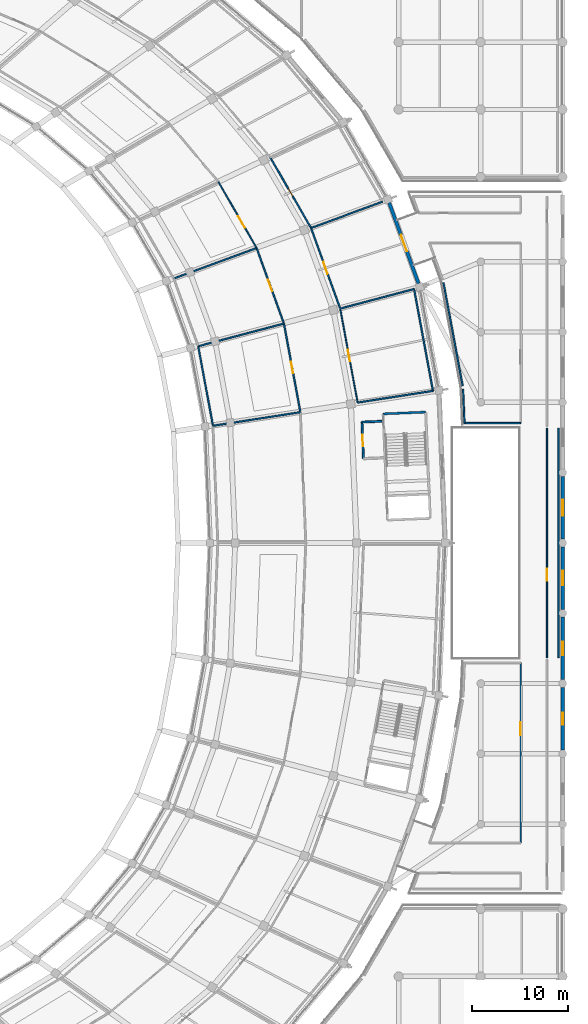
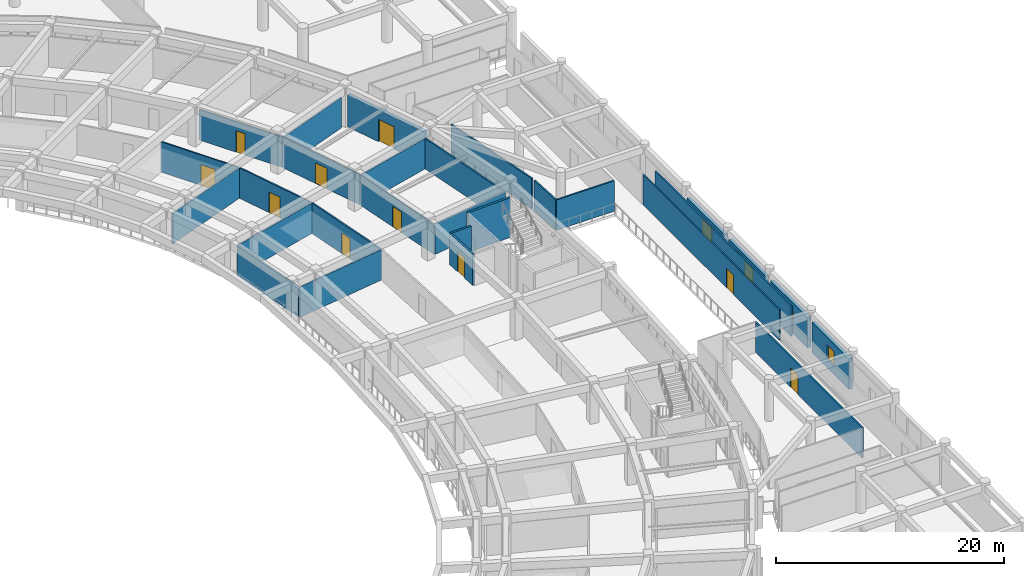
# One storey, part 105 of 145: 28 walls, 10 doors, 4 windows, 14 openings.
"""IFC4 building model written with IfcOpenShell, lengths in metres."""

from ifc_helpers import new_model, si_unit, direction, frame, frame_2d, origin, place, context, subcontext, project, spatial, rectangle, extrude, material, layer, layer_set, type_object, element, fill, save


model = new_model("IFC4")

# Units and contexts
model_context = context("Model", 3, precision=1e-05, world=origin(), true_north=direction((0.0, 1.0)))
body_context = subcontext(model_context, "Body", "Model", "MODEL_VIEW")
ifc_project = project(units=[si_unit("LENGTHUNIT", "METRE"), si_unit("AREAUNIT", "SQUARE_METRE"), si_unit("VOLUMEUNIT", "CUBIC_METRE"), si_unit("PLANEANGLEUNIT", "RADIAN"), si_unit("MASSUNIT", "GRAM", prefix="KILO")], contexts=[model_context])

# Site, building, storey
site_placement = place(None, origin())
site = spatial("IfcSite", under=ifc_project, at=site_placement, CompositionType="ELEMENT")
building_placement = place(site_placement, origin())
building = spatial("IfcBuilding", under=site, at=building_placement, Name="Mphavela Belvedere Stadium", CompositionType="ELEMENT")
storey_placement = place(building_placement, frame((0.0, 0.0, 10.199951171875)))
storey = spatial("IfcBuildingStorey", under=building, at=storey_placement, Name="L02", CompositionType="ELEMENT", Elevation=10.199951171875)

# Wall
ifc_material_1 = material(Name="Concrete C40/50", Category="concrete")
ifc_layer_1 = layer(ifc_material_1, 0.219970703125)
ifc_layer_set_1 = layer_set([ifc_layer_1], Name="Concrete C40/50")
wall_type_1 = type_object("IfcWallType", Name="WAL-CORE-SHEAR-220", PredefinedType="SHEAR", material=ifc_layer_set_1)
wall_1_placement = place(storey_placement, frame((211.365478515625, 100.400390625, 0.0), z_axis=(0.0, 0.0, 1.0), x_axis=(0.999121521721, 0.041906859039, 0.0)))
element("IfcWall", 1, at=wall_1_placement, inside=storey, type_object=wall_type_1, Name="Core C01 shear wall L02 left", PredefinedType="SHEAR", context=body_context, shape_type="SweptSolid", body=[
    extrude(rectangle(XDim=4.41015625, YDim=0.219970703125, at=frame_2d((2.205078125, 0.0))), origin(), (0.0, 0.0, 1.0), 4.25),
])

# Wall, opening, door
ifc_material_2 = material(Name="Honed ashlar limestone masonry", Category="masonry")
ifc_layer_2 = layer(ifc_material_2, 0.35009765625)
ifc_layer_set_2 = layer_set([ifc_layer_2], Name="Honed ashlar limestone masonry")
wall_type_2 = type_object("IfcWallType", Name="WAL-EXT-ASHLAR-350", PredefinedType="STANDARD", material=ifc_layer_set_2)
wall_2_placement = place(storey_placement, frame((211.99169921875, 122.30810546875, 0.0), z_axis=(0.0, 0.0, 1.0), x_axis=(0.34103858998, -0.940049296657, 0.0)))
wall_2 = element("IfcWall", 2, at=wall_2_placement, inside=storey, type_object=wall_type_2, Name="Classical link portal wall L02-03", PredefinedType="STANDARD", context=body_context, shape_type="SweptSolid", body=[
    extrude(rectangle(XDim=8.905517578125, YDim=0.35009765625, at=frame_2d((4.45263671875, 0.0))), origin(), (0.0, 0.0, 1.0), 3.420166015625),
])
opening_1_placement = place(wall_2_placement, frame((3.552734375, 0.0, 0.0)))
opening_1 = element("IfcOpeningElement", 3, at=opening_1_placement, cuts=wall_2, Name="Opening ID-9202", PredefinedType="OPENING", context=body_context, shape_type="SweptSolid", body=[
    extrude(rectangle(XDim=1.800048828125, YDim=2.39990234375, at=frame_2d((0.89990234375, 1.199951171875))), frame((0.0, 0.18505859375, 0.0), z_axis=(0.0, -1.0, 0.0), x_axis=(1.0, 0.0, 0.0)), (0.0, 0.0, 1.0), 0.3701171875),
])
ifc_material_3 = material(Name="Glazed bronze-anodised steel exit doorset", Category="steel")
door_type_1 = type_object("IfcDoorType", Name="DR-EXT-01", OperationType="NOTDEFINED", PredefinedType="DOOR", material=ifc_material_3)
door_1_placement = place(opening_1_placement, origin())
door_1 = element("IfcDoor", 4, at=door_1_placement, inside=storey, type_object=door_type_1, Name="Wing promenade link doorset L02-03", OperationType="DOUBLE_DOOR_SINGLE_SWING", OverallHeight=2.39990234375, OverallWidth=1.800048828125, PredefinedType="DOOR", context=body_context, shape_type="SweptSolid", body=[
    extrude(rectangle(XDim=1.800048828125, YDim=2.39990234375, at=frame_2d((0.89990234375, 1.199951171875))), frame((0.0, 0.02490234375, 0.0), z_axis=(0.0, -1.0, 0.0), x_axis=(1.0, 0.0, 0.0)), (0.0, 0.0, 1.0), 0.050048828125),
])
fill(opening_1, door_1)

# Wall, opening, window
wall_3_placement = place(storey_placement, frame((230.0, 72.001953125, 0.0), z_axis=(0.0, 0.0, 1.0), x_axis=(0.0, -1.0, 0.0)))
wall_3 = element("IfcWall", 5, at=wall_3_placement, inside=storey, type_object=wall_type_2, Name="East Planted Eaves Peristyle Colonnade outer facade bay L02-03", PredefinedType="STANDARD", context=body_context, shape_type="SweptSolid", body=[
    extrude(rectangle(XDim=6.50390625, YDim=0.35009765625, at=frame_2d((3.251953125, 0.0))), origin(), (0.0, 0.0, 1.0), 3.260009765625),
])
opening_2_placement = place(wall_3_placement, frame((2.632080078125, 0.0, 0.89990234375)))
opening_2 = element("IfcOpeningElement", 6, at=opening_2_placement, cuts=wall_3, Name="Opening W-310", PredefinedType="OPENING", context=body_context, shape_type="SweptSolid", body=[
    extrude(rectangle(XDim=1.239990234375, YDim=1.550048828125, at=frame_2d((0.6201171875, 0.77490234375))), frame((0.0, 0.18505859375, 0.0), z_axis=(0.0, -1.0, 0.0), x_axis=(1.0, 0.0, 0.0)), (0.0, 0.0, 1.0), 0.3701171875),
])
ifc_material_4 = material(Name="Bronze-anodised thermally broken aluminium window", Category="aluminium")
window_type_1 = type_object("IfcWindowType", Name="WIN-EXT-02", PartitioningType="SINGLE_PANEL", PredefinedType="WINDOW", material=ifc_material_4)
window_1_placement = place(opening_2_placement, origin())
window_1 = element("IfcWindow", 7, at=window_1_placement, inside=storey, type_object=window_type_1, Name="East Planted Eaves Peristyle Colonnade classical window W-310", OverallHeight=1.550048828125, OverallWidth=1.239990234375, PartitioningType="SINGLE_PANEL", PredefinedType="WINDOW", context=body_context, shape_type="SweptSolid", body=[
    extrude(rectangle(XDim=1.239990234375, YDim=1.550048828125, at=frame_2d((0.6201171875, 0.77490234375))), frame((0.0, 0.030029296875, 0.0), z_axis=(0.0, -1.0, 0.0), x_axis=(1.0, 0.0, 0.0)), (0.0, 0.0, 1.0), 0.06005859375),
])
fill(opening_2, window_1)

wall_4_placement = place(storey_placement, frame((230.0, 79.302001953125, 0.0), z_axis=(0.0, 0.0, 1.0), x_axis=(0.0, -1.0, 0.0)))
wall_4 = element("IfcWall", 8, at=wall_4_placement, inside=storey, type_object=wall_type_2, Name="East Planted Eaves Peristyle Colonnade outer facade bay L02-04", PredefinedType="STANDARD", context=body_context, shape_type="SweptSolid", body=[
    extrude(rectangle(XDim=6.50390625, YDim=0.35009765625, at=frame_2d((3.251953125, 0.0))), origin(), (0.0, 0.0, 1.0), 3.260009765625),
])
opening_3_placement = place(wall_4_placement, frame((2.56201171875, 0.0, 0.89990234375)))
opening_3 = element("IfcOpeningElement", 9, at=opening_3_placement, cuts=wall_4, Name="Opening W-311", PredefinedType="OPENING", context=body_context, shape_type="SweptSolid", body=[
    extrude(rectangle(XDim=1.3798828125, YDim=1.550048828125, at=frame_2d((0.68994140625, 0.77490234375))), frame((0.0, 0.18505859375, 0.0), z_axis=(0.0, -1.0, 0.0), x_axis=(1.0, 0.0, 0.0)), (0.0, 0.0, 1.0), 0.3701171875),
])
ifc_material_5 = material(Name="Bronze-anodised thermally broken aluminium window", Category="aluminium")
window_type_2 = type_object("IfcWindowType", Name="WIN-EXT-03", PartitioningType="SINGLE_PANEL", PredefinedType="WINDOW", material=ifc_material_5)
window_2_placement = place(opening_3_placement, origin())
window_2 = element("IfcWindow", 10, at=window_2_placement, inside=storey, type_object=window_type_2, Name="East Planted Eaves Peristyle Colonnade classical window W-311", OverallHeight=1.550048828125, OverallWidth=1.3798828125, PartitioningType="SINGLE_PANEL", PredefinedType="WINDOW", context=body_context, shape_type="SweptSolid", body=[
    extrude(rectangle(XDim=1.3798828125, YDim=1.550048828125, at=frame_2d((0.68994140625, 0.77490234375))), frame((0.0, 0.030029296875, 0.0), z_axis=(0.0, -1.0, 0.0), x_axis=(1.0, 0.0, 0.0)), (0.0, 0.0, 1.0), 0.06005859375),
])
fill(opening_3, window_2)

wall_5_placement = place(storey_placement, frame((230.0, 86.60205078125, 0.0), z_axis=(0.0, 0.0, 1.0), x_axis=(0.0, -1.0, 0.0)))
wall_5 = element("IfcWall", 11, at=wall_5_placement, inside=storey, type_object=wall_type_2, Name="East Planted Eaves Peristyle Colonnade outer facade bay L02-05", PredefinedType="STANDARD", context=body_context, shape_type="SweptSolid", body=[
    extrude(rectangle(XDim=6.504150390625, YDim=0.35009765625, at=frame_2d((3.251953125, 0.0))), origin(), (0.0, 0.0, 1.0), 3.260009765625),
])
opening_4_placement = place(wall_5_placement, frame((2.491943359375, 0.0, 0.89990234375)))
opening_4 = element("IfcOpeningElement", 12, at=opening_4_placement, cuts=wall_5, Name="Opening W-312", PredefinedType="OPENING", context=body_context, shape_type="SweptSolid", body=[
    extrude(rectangle(XDim=1.52001953125, YDim=1.550048828125, at=frame_2d((0.760009765625, 0.77490234375))), frame((0.0, 0.18505859375, 0.0), z_axis=(0.0, -1.0, 0.0), x_axis=(1.0, 0.0, 0.0)), (0.0, 0.0, 1.0), 0.3701171875),
])
ifc_material_6 = material(Name="Bronze-anodised thermally broken aluminium window", Category="aluminium")
window_type_3 = type_object("IfcWindowType", Name="WIN-EXT-04", PartitioningType="SINGLE_PANEL", PredefinedType="WINDOW", material=ifc_material_6)
window_3_placement = place(opening_4_placement, origin())
window_3 = element("IfcWindow", 13, at=window_3_placement, inside=storey, type_object=window_type_3, Name="East Planted Eaves Peristyle Colonnade classical window W-312", OverallHeight=1.550048828125, OverallWidth=1.52001953125, PartitioningType="SINGLE_PANEL", PredefinedType="WINDOW", context=body_context, shape_type="SweptSolid", body=[
    extrude(rectangle(XDim=1.52001953125, YDim=1.550048828125, at=frame_2d((0.760009765625, 0.77490234375))), frame((0.0, 0.030029296875, 0.0), z_axis=(0.0, -1.0, 0.0), x_axis=(1.0, 0.0, 0.0)), (0.0, 0.0, 1.0), 0.06005859375),
])
fill(opening_4, window_3)

wall_6_placement = place(storey_placement, frame((230.0, 93.902099609375, 0.0), z_axis=(0.0, 0.0, 1.0), x_axis=(0.0, -1.0, 0.0)))
wall_6 = element("IfcWall", 14, at=wall_6_placement, inside=storey, type_object=wall_type_2, Name="East Planted Eaves Peristyle Colonnade outer facade bay L02-06", PredefinedType="STANDARD", context=body_context, shape_type="SweptSolid", body=[
    extrude(rectangle(XDim=6.504150390625, YDim=0.35009765625, at=frame_2d((3.251953125, 0.0))), origin(), (0.0, 0.0, 1.0), 3.260009765625),
])
opening_5_placement = place(wall_6_placement, frame((2.422119140625, 0.0, 0.89990234375)))
opening_5 = element("IfcOpeningElement", 15, at=opening_5_placement, cuts=wall_6, Name="Opening W-313", PredefinedType="OPENING", context=body_context, shape_type="SweptSolid", body=[
    extrude(rectangle(XDim=1.659912109375, YDim=1.550048828125, at=frame_2d((0.830078125, 0.77490234375))), frame((0.0, 0.18505859375, 0.0), z_axis=(0.0, -1.0, 0.0), x_axis=(1.0, 0.0, 0.0)), (0.0, 0.0, 1.0), 0.3701171875),
])
ifc_material_7 = material(Name="Bronze-anodised thermally broken aluminium window", Category="aluminium")
window_type_4 = type_object("IfcWindowType", Name="WIN-EXT-05", PartitioningType="SINGLE_PANEL", PredefinedType="WINDOW", material=ifc_material_7)
window_4_placement = place(opening_5_placement, origin())
window_4 = element("IfcWindow", 16, at=window_4_placement, inside=storey, type_object=window_type_4, Name="East Planted Eaves Peristyle Colonnade classical window W-313", OverallHeight=1.550048828125, OverallWidth=1.659912109375, PartitioningType="SINGLE_PANEL", PredefinedType="WINDOW", context=body_context, shape_type="SweptSolid", body=[
    extrude(rectangle(XDim=1.659912109375, YDim=1.550048828125, at=frame_2d((0.830078125, 0.77490234375))), frame((0.0, 0.030029296875, 0.0), z_axis=(0.0, -1.0, 0.0), x_axis=(1.0, 0.0, 0.0)), (0.0, 0.0, 1.0), 0.06005859375),
])
fill(opening_5, window_4)

# Wall, opening, door
ifc_material_8 = material(Name="Moisture-resistant sanitary partition assembly")
ifc_layer_3 = layer(ifc_material_8, 0.125)
ifc_layer_set_3 = layer_set([ifc_layer_3], Name="Moisture-resistant sanitary partition assembly")
wall_type_3 = type_object("IfcWallType", Name="WAL-PART-125", PredefinedType="PARTITIONING", material=ifc_layer_set_3)
wall_7_placement = place(storey_placement, frame((208.706787109375, 101.5751953125, 0.0), z_axis=(0.0, 0.0, 1.0), x_axis=(-0.182618024057, 0.983183938686, 0.0)))
wall_7 = element("IfcWall", 17, at=wall_7_placement, inside=storey, type_object=wall_type_3, Name="Room L02-37 corridor partition", PredefinedType="PARTITIONING", context=body_context, shape_type="SweptSolid", body=[
    extrude(rectangle(XDim=9.919677734375, YDim=0.125, at=frame_2d((4.9599609375, 0.0))), origin(), (0.0, 0.0, 1.0), 3.25),
])
opening_6_placement = place(wall_7_placement, frame((4.349853515625, 0.0, 0.0)))
opening_6 = element("IfcOpeningElement", 18, at=opening_6_placement, cuts=wall_7, Name="Opening ID-165", PredefinedType="OPENING", context=body_context, shape_type="SweptSolid", body=[
    extrude(rectangle(XDim=1.219970703125, YDim=2.199951171875, at=frame_2d((0.60986328125, 1.10009765625))), frame((0.0, 0.072509765625, 0.0), z_axis=(0.0, -1.0, 0.0), x_axis=(1.0, 0.0, 0.0)), (0.0, 0.0, 1.0), 0.14501953125),
])
ifc_material_9 = material(Name="Hardwood acoustic timber doorset", Category="wood")
door_type_2 = type_object("IfcDoorType", Name="DR-INT-21", OperationType="NOTDEFINED", PredefinedType="DOOR", material=ifc_material_9)
door_2_placement = place(opening_6_placement, origin())
door_2 = element("IfcDoor", 19, at=door_2_placement, inside=storey, type_object=door_type_2, Name="Room L02-37 entrance door ID-165", OperationType="SINGLE_SWING_LEFT", OverallHeight=2.199951171875, OverallWidth=1.219970703125, PredefinedType="DOOR", context=body_context, shape_type="SweptSolid", body=[
    extrude(rectangle(XDim=1.219970703125, YDim=2.199951171875, at=frame_2d((0.60986328125, 1.10009765625))), frame((0.0, 0.02490234375, 0.0), z_axis=(0.0, -1.0, 0.0), x_axis=(1.0, 0.0, 0.0)), (0.0, 0.0, 1.0), 0.050048828125),
])
fill(opening_6, door_2)

wall_8_placement = place(storey_placement, frame((194.260009765625, 124.47216796875, 0.0), z_axis=(0.0, 0.0, 1.0), x_axis=(0.500584301803, -0.865687794063, 0.0)))
wall_8 = element("IfcWall", 20, at=wall_8_placement, inside=storey, type_object=wall_type_3, Name="Room L02-42 corridor partition", PredefinedType="PARTITIONING", context=body_context, shape_type="SweptSolid", body=[
    extrude(rectangle(XDim=7.8369140625, YDim=0.125, at=frame_2d((3.91845703125, 0.0))), origin(), (0.0, 0.0, 1.0), 3.25),
])
opening_7_placement = place(wall_8_placement, frame((4.088134765625, 0.0, 0.0)))
opening_7 = element("IfcOpeningElement", 21, at=opening_7_placement, cuts=wall_8, Name="Opening ID-168", PredefinedType="OPENING", context=body_context, shape_type="SweptSolid", body=[
    extrude(rectangle(XDim=1.39990234375, YDim=2.199951171875, at=frame_2d((0.699951171875, 1.10009765625))), frame((0.0, 0.072509765625, 0.0), z_axis=(0.0, -1.0, 0.0), x_axis=(1.0, 0.0, 0.0)), (0.0, 0.0, 1.0), 0.14501953125),
])
ifc_material_10 = material(Name="Hardwood acoustic timber doorset", Category="wood")
door_type_3 = type_object("IfcDoorType", Name="DR-INT-24", OperationType="NOTDEFINED", PredefinedType="DOOR", material=ifc_material_10)
door_3_placement = place(opening_7_placement, origin())
door_3 = element("IfcDoor", 22, at=door_3_placement, inside=storey, type_object=door_type_3, Name="Room L02-42 entrance door ID-168", OperationType="SINGLE_SWING_RIGHT", OverallHeight=2.199951171875, OverallWidth=1.39990234375, PredefinedType="DOOR", context=body_context, shape_type="SweptSolid", body=[
    extrude(rectangle(XDim=1.39990234375, YDim=2.199951171875, at=frame_2d((0.699951171875, 1.10009765625))), frame((0.0, 0.02490234375, 0.0), z_axis=(0.0, -1.0, 0.0), x_axis=(1.0, 0.0, 0.0)), (0.0, 0.0, 1.0), 0.050048828125),
])
fill(opening_7, door_3)

wall_9_placement = place(storey_placement, frame((228.360107421875, 75.083251953125, 0.0), z_axis=(0.0, 0.0, 1.0), x_axis=(0.0, 1.0, 0.0)))
wall_9 = element("IfcWall", 23, at=wall_9_placement, inside=storey, type_object=wall_type_3, Name="Room L02-199 corridor partition", PredefinedType="PARTITIONING", context=body_context, shape_type="SweptSolid", body=[
    extrude(rectangle(XDim=23.83349609375, YDim=0.125, at=frame_2d((11.916748046875, 0.0))), origin(), (0.0, 0.0, 1.0), 3.25),
])
opening_8_placement = place(wall_9_placement, frame((8.0107421875, 0.0, 0.0)))
opening_8 = element("IfcOpeningElement", 24, at=opening_8_placement, cuts=wall_9, Name="Opening ID-549", PredefinedType="OPENING", context=body_context, shape_type="SweptSolid", body=[
    extrude(rectangle(XDim=1.219970703125, YDim=2.10009765625, at=frame_2d((0.60986328125, 1.050048828125))), frame((0.0, 0.072509765625, 0.0), z_axis=(0.0, -1.0, 0.0), x_axis=(1.0, 0.0, 0.0)), (0.0, 0.0, 1.0), 0.14501953125),
])
ifc_material_11 = material(Name="Hardwood acoustic timber doorset", Category="wood")
door_type_4 = type_object("IfcDoorType", Name="DR-INT-09", OperationType="NOTDEFINED", PredefinedType="DOOR", material=ifc_material_11)
door_4_placement = place(opening_8_placement, origin())
door_4 = element("IfcDoor", 25, at=door_4_placement, inside=storey, type_object=door_type_4, Name="Room L02-199 entrance door ID-549", OperationType="SINGLE_SWING_LEFT", OverallHeight=2.10009765625, OverallWidth=1.219970703125, PredefinedType="DOOR", context=body_context, shape_type="SweptSolid", body=[
    extrude(rectangle(XDim=1.219970703125, YDim=2.10009765625, at=frame_2d((0.60986328125, 1.050048828125))), frame((0.0, 0.02490234375, 0.0), z_axis=(0.0, -1.0, 0.0), x_axis=(1.0, 0.0, 0.0)), (0.0, 0.0, 1.0), 0.050048828125),
])
fill(opening_8, door_4)

ifc_material_12 = material(Name="Acoustic gypsum stud partition assembly")
ifc_layer_4 = layer(ifc_material_12, 0.14990234375)
ifc_layer_set_4 = layer_set([ifc_layer_4], Name="Acoustic gypsum stud partition assembly")
wall_type_4 = type_object("IfcWallType", Name="WAL-PART-150", PredefinedType="PARTITIONING", material=ifc_layer_set_4)
wall_10_placement = place(storey_placement, frame((201.053466796875, 109.779052734375, 0.0), z_axis=(0.0, 0.0, 1.0), x_axis=(0.182600545941, -0.983187184936, 0.0)))
wall_10 = element("IfcWall", 26, at=wall_10_placement, inside=storey, type_object=wall_type_4, Name="Room L02-36 corridor partition", PredefinedType="PARTITIONING", context=body_context, shape_type="SweptSolid", body=[
    extrude(rectangle(XDim=9.2841796875, YDim=0.14990234375, at=frame_2d((4.64208984375, 0.0))), origin(), (0.0, 0.0, 1.0), 3.25),
])
opening_9_placement = place(wall_10_placement, frame((4.052001953125, 0.0, 0.0)))
opening_9 = element("IfcOpeningElement", 27, at=opening_9_placement, cuts=wall_10, Name="Opening ID-164", PredefinedType="OPENING", context=body_context, shape_type="SweptSolid", body=[
    extrude(rectangle(XDim=1.179931640625, YDim=2.199951171875, at=frame_2d((0.58984375, 1.10009765625))), frame((0.0, 0.0849609375, 0.0), z_axis=(0.0, -1.0, 0.0), x_axis=(1.0, 0.0, 0.0)), (0.0, 0.0, 1.0), 0.169921875),
])
ifc_material_13 = material(Name="Hardwood acoustic timber doorset", Category="wood")
door_type_5 = type_object("IfcDoorType", Name="DR-INT-20", OperationType="NOTDEFINED", PredefinedType="DOOR", material=ifc_material_13)
door_5_placement = place(opening_9_placement, origin())
door_5 = element("IfcDoor", 28, at=door_5_placement, inside=storey, type_object=door_type_5, Name="Room L02-36 entrance door ID-164", OperationType="SINGLE_SWING_RIGHT", OverallHeight=2.199951171875, OverallWidth=1.179931640625, PredefinedType="DOOR", context=body_context, shape_type="SweptSolid", body=[
    extrude(rectangle(XDim=1.179931640625, YDim=2.199951171875, at=frame_2d((0.58984375, 1.10009765625))), frame((0.0, 0.02490234375, 0.0), z_axis=(0.0, -1.0, 0.0), x_axis=(1.0, 0.0, 0.0)), (0.0, 0.0, 1.0), 0.050048828125),
])
fill(opening_9, door_5)

wall_11_placement = place(storey_placement, frame((198.217529296875, 117.615234375, 0.0), z_axis=(0.0, 0.0, 1.0), x_axis=(0.341044733968, -0.940047067669, 0.0)))
wall_11 = element("IfcWall", 29, at=wall_11_placement, inside=storey, type_object=wall_type_4, Name="Room L02-39 corridor partition", PredefinedType="PARTITIONING", context=body_context, shape_type="SweptSolid", body=[
    extrude(rectangle(XDim=8.25390625, YDim=0.14990234375, at=frame_2d((4.126953125, 0.0))), origin(), (0.0, 0.0, 1.0), 3.25),
])
opening_10_placement = place(wall_11_placement, frame((3.496826171875, 0.0, 0.0)))
opening_10 = element("IfcOpeningElement", 30, at=opening_10_placement, cuts=wall_11, Name="Opening ID-166", PredefinedType="OPENING", context=body_context, shape_type="SweptSolid", body=[
    extrude(rectangle(XDim=1.260009765625, YDim=2.199951171875, at=frame_2d((0.6298828125, 1.10009765625))), frame((0.0, 0.0849609375, 0.0), z_axis=(0.0, -1.0, 0.0), x_axis=(1.0, 0.0, 0.0)), (0.0, 0.0, 1.0), 0.169921875),
])
ifc_material_14 = material(Name="Hardwood acoustic timber doorset", Category="wood")
door_type_6 = type_object("IfcDoorType", Name="DR-INT-22", OperationType="NOTDEFINED", PredefinedType="DOOR", material=ifc_material_14)
door_6_placement = place(opening_10_placement, origin())
door_6 = element("IfcDoor", 31, at=door_6_placement, inside=storey, type_object=door_type_6, Name="Room L02-39 entrance door ID-166", OperationType="SINGLE_SWING_RIGHT", OverallHeight=2.199951171875, OverallWidth=1.260009765625, PredefinedType="DOOR", context=body_context, shape_type="SweptSolid", body=[
    extrude(rectangle(XDim=1.260009765625, YDim=2.199951171875, at=frame_2d((0.6298828125, 1.10009765625))), frame((0.0, 0.02490234375, 0.0), z_axis=(0.0, -1.0, 0.0), x_axis=(1.0, 0.0, 0.0)), (0.0, 0.0, 1.0), 0.050048828125),
])
fill(opening_10, door_6)

wall_12_placement = place(storey_placement, frame((206.874267578125, 111.4052734375, 0.0), z_axis=(0.0, 0.0, 1.0), x_axis=(-0.341031741571, 0.940051781149, 0.0)))
wall_12 = element("IfcWall", 32, at=wall_12_placement, inside=storey, type_object=wall_type_4, Name="Room L02-40 corridor partition", PredefinedType="PARTITIONING", context=body_context, shape_type="SweptSolid", body=[
    extrude(rectangle(XDim=8.81982421875, YDim=0.14990234375, at=frame_2d((4.409912109375, 0.0))), origin(), (0.0, 0.0, 1.0), 3.25),
])
opening_11_placement = place(wall_12_placement, frame((3.749755859375, 0.0, 0.0)))
opening_11 = element("IfcOpeningElement", 33, at=opening_11_placement, cuts=wall_12, Name="Opening ID-167", PredefinedType="OPENING", context=body_context, shape_type="SweptSolid", body=[
    extrude(rectangle(XDim=1.320068359375, YDim=2.199951171875, at=frame_2d((0.66015625, 1.10009765625))), frame((0.0, 0.0849609375, 0.0), z_axis=(0.0, -1.0, 0.0), x_axis=(1.0, 0.0, 0.0)), (0.0, 0.0, 1.0), 0.169921875),
])
ifc_material_15 = material(Name="Hardwood acoustic timber doorset", Category="wood")
door_type_7 = type_object("IfcDoorType", Name="DR-INT-23", OperationType="NOTDEFINED", PredefinedType="DOOR", material=ifc_material_15)
door_7_placement = place(opening_11_placement, origin())
door_7 = element("IfcDoor", 34, at=door_7_placement, inside=storey, type_object=door_type_7, Name="Room L02-40 entrance door ID-167", OperationType="SINGLE_SWING_LEFT", OverallHeight=2.199951171875, OverallWidth=1.320068359375, PredefinedType="DOOR", context=body_context, shape_type="SweptSolid", body=[
    extrude(rectangle(XDim=1.320068359375, YDim=2.199951171875, at=frame_2d((0.66015625, 1.10009765625))), frame((0.0, 0.02490234375, 0.0), z_axis=(0.0, -1.0, 0.0), x_axis=(1.0, 0.0, 0.0)), (0.0, 0.0, 1.0), 0.050048828125),
])
fill(opening_11, door_7)

wall_13_placement = place(storey_placement, frame((203.8330078125, 119.769287109375, 0.0), z_axis=(0.0, 0.0, 1.0), x_axis=(-0.500559280672, 0.865702262059, 0.0)))
wall_13 = element("IfcWall", 35, at=wall_13_placement, inside=storey, type_object=wall_type_4, Name="Room L02-43 corridor partition", PredefinedType="PARTITIONING", context=body_context, shape_type="SweptSolid", body=[
    extrude(rectangle(XDim=8.37451171875, YDim=0.14990234375, at=frame_2d((4.187255859375, 0.0))), origin(), (0.0, 0.0, 1.0), 3.25),
])
opening_12_placement = place(wall_13_placement, frame((3.7373046875, 0.0, 0.0)))
opening_12 = element("IfcOpeningElement", 36, at=opening_12_placement, cuts=wall_13, Name="Opening ID-169", PredefinedType="OPENING", context=body_context, shape_type="SweptSolid", body=[
    extrude(rectangle(XDim=0.89990234375, YDim=2.300048828125, at=frame_2d((0.449951171875, 1.14990234375))), frame((0.0, 0.0849609375, 0.0), z_axis=(0.0, -1.0, 0.0), x_axis=(1.0, 0.0, 0.0)), (0.0, 0.0, 1.0), 0.169921875),
])
ifc_material_16 = material(Name="Hardwood acoustic timber doorset", Category="wood")
door_type_8 = type_object("IfcDoorType", Name="DR-INT-25", OperationType="NOTDEFINED", PredefinedType="DOOR", material=ifc_material_16)
door_8_placement = place(opening_12_placement, origin())
door_8 = element("IfcDoor", 37, at=door_8_placement, inside=storey, type_object=door_type_8, Name="Room L02-43 entrance door ID-169", OperationType="SINGLE_SWING_LEFT", OverallHeight=2.300048828125, OverallWidth=0.89990234375, PredefinedType="DOOR", context=body_context, shape_type="SweptSolid", body=[
    extrude(rectangle(XDim=0.89990234375, YDim=2.300048828125, at=frame_2d((0.449951171875, 1.14990234375))), frame((0.0, 0.02490234375, 0.0), z_axis=(0.0, -1.0, 0.0), x_axis=(1.0, 0.0, 0.0)), (0.0, 0.0, 1.0), 0.050048828125),
])
fill(opening_12, door_8)

wall_14_placement = place(storey_placement, frame((225.639892578125, 74.550048828125, 0.0), z_axis=(0.0, 0.0, 1.0), x_axis=(0.0, -1.0, 0.0)))
wall_14 = element("IfcWall", 38, at=wall_14_placement, inside=storey, type_object=wall_type_4, Name="Room L02-201 corridor partition", PredefinedType="PARTITIONING", context=body_context, shape_type="SweptSolid", body=[
    extrude(rectangle(XDim=18.68994140625, YDim=0.14990234375, at=frame_2d((9.344970703125, 0.0))), origin(), (0.0, 0.0, 1.0), 3.25),
])
opening_13_placement = place(wall_14_placement, frame((6.175537109375, 0.0, 0.0)))
opening_13 = element("IfcOpeningElement", 39, at=opening_13_placement, cuts=wall_14, Name="Opening ID-551", PredefinedType="OPENING", context=body_context, shape_type="SweptSolid", body=[
    extrude(rectangle(XDim=1.320068359375, YDim=2.10009765625, at=frame_2d((0.66015625, 1.050048828125))), frame((0.0, 0.0849609375, 0.0), z_axis=(0.0, -1.0, 0.0), x_axis=(1.0, 0.0, 0.0)), (0.0, 0.0, 1.0), 0.169921875),
])
ifc_material_17 = material(Name="Hardwood acoustic timber doorset", Category="wood")
door_type_9 = type_object("IfcDoorType", Name="DR-INT-11", OperationType="NOTDEFINED", PredefinedType="DOOR", material=ifc_material_17)
door_9_placement = place(opening_13_placement, origin())
door_9 = element("IfcDoor", 40, at=door_9_placement, inside=storey, type_object=door_type_9, Name="Room L02-201 entrance door ID-551", OperationType="SINGLE_SWING_LEFT", OverallHeight=2.10009765625, OverallWidth=1.320068359375, PredefinedType="DOOR", context=body_context, shape_type="SweptSolid", body=[
    extrude(rectangle(XDim=1.320068359375, YDim=2.10009765625, at=frame_2d((0.66015625, 1.050048828125))), frame((0.0, 0.02490234375, 0.0), z_axis=(0.0, -1.0, 0.0), x_axis=(1.0, 0.0, 0.0)), (0.0, 0.0, 1.0), 0.050048828125),
])
fill(opening_13, door_9)

# Walls
wall_15_placement = place(storey_placement, frame((193.681884765625, 99.163818359375, 0.0), z_axis=(0.0, 0.0, 1.0), x_axis=(0.988188135357, 0.153245584407, 0.0)))
element("IfcWall", 41, at=wall_15_placement, inside=storey, type_object=wall_type_4, Name="Room divider partition L02-0287", PredefinedType="PARTITIONING", context=body_context, shape_type="SweptSolid", body=[
    extrude(rectangle(XDim=9.184326171875, YDim=0.14990234375, at=frame_2d((4.59228515625, 0.0))), origin(), (0.0, 0.0, 1.0), 3.25),
])
wall_16_placement = place(storey_placement, frame((193.672607421875, 99.2431640625, 0.0), z_axis=(0.0, 0.0, 1.0), x_axis=(-0.182614898171, 0.983184519287, 0.0)))
element("IfcWall", 42, at=wall_16_placement, inside=storey, type_object=wall_type_4, Name="Room divider partition L02-0289", PredefinedType="PARTITIONING", context=body_context, shape_type="SweptSolid", body=[
    extrude(rectangle(XDim=8.315673828125, YDim=0.14990234375, at=frame_2d((4.15771484375, 0.0))), origin(), (0.0, 0.0, 1.0), 3.25),
])
wall_17_placement = place(storey_placement, frame((192.154052734375, 107.4189453125, 0.0), z_axis=(0.0, 0.0, 1.0), x_axis=(0.96658744027, 0.256337122383, 0.0)))
element("IfcWall", 43, at=wall_17_placement, inside=storey, type_object=wall_type_4, Name="Room divider partition L02-0290", PredefinedType="PARTITIONING", context=body_context, shape_type="SweptSolid", body=[
    extrude(rectangle(XDim=9.20703125, YDim=0.14990234375, at=frame_2d((4.603515625, 0.0))), origin(), (0.0, 0.0, 1.0), 3.25),
])
wall_18_placement = place(storey_placement, frame((206.895263671875, 111.328125, 0.0), z_axis=(0.0, 0.0, 1.0), x_axis=(0.966593450181, 0.25631445934, 0.0)))
element("IfcWall", 44, at=wall_18_placement, inside=storey, type_object=wall_type_4, Name="Room divider partition L02-0291", PredefinedType="PARTITIONING", context=body_context, shape_type="SweptSolid", body=[
    extrude(rectangle(XDim=7.936279296875, YDim=0.14990234375, at=frame_2d((3.96826171875, 0.0))), origin(), (0.0, 0.0, 1.0), 3.25),
])
wall_19_placement = place(storey_placement, frame((214.56640625, 113.3623046875, 0.0), z_axis=(0.0, 0.0, 1.0), x_axis=(0.182607868301, -0.983185824976, 0.0)))
element("IfcWall", 45, at=wall_19_placement, inside=storey, type_object=wall_type_4, Name="Room divider partition L02-0292", PredefinedType="PARTITIONING", context=body_context, shape_type="SweptSolid", body=[
    extrude(rectangle(XDim=10.754638671875, YDim=0.14990234375, at=frame_2d((5.37744140625, 0.0))), origin(), (0.0, 0.0, 1.0), 3.25),
])
wall_20_placement = place(storey_placement, frame((216.5302734375, 102.78857421875, 0.0), z_axis=(0.0, 0.0, 1.0), x_axis=(-0.988185582016, -0.153262048451, 0.0)))
element("IfcWall", 46, at=wall_20_placement, inside=storey, type_object=wall_type_4, Name="Room divider partition L02-0293", PredefinedType="PARTITIONING", context=body_context, shape_type="SweptSolid", body=[
    extrude(rectangle(XDim=7.9169921875, YDim=0.14990234375, at=frame_2d((3.95849609375, 0.0))), origin(), (0.0, 0.0, 1.0), 3.25),
])
wall_21_placement = place(storey_placement, frame((189.612060546875, 114.44482421875, 0.0), z_axis=(0.0, 0.0, 1.0), x_axis=(0.93834402583, 0.345702891496, 0.0)))
element("IfcWall", 47, at=wall_21_placement, inside=storey, type_object=wall_type_4, Name="Room divider partition L02-0295", PredefinedType="PARTITIONING", context=body_context, shape_type="SweptSolid", body=[
    extrude(rectangle(XDim=9.1708984375, YDim=0.14990234375, at=frame_2d((4.58544921875, 0.0))), origin(), (0.0, 0.0, 1.0), 3.25),
])
wall_22_placement = place(storey_placement, frame((203.866455078125, 119.6962890625, 0.0), z_axis=(0.0, 0.0, 1.0), x_axis=(0.938346807893, 0.345695340028, 0.0)))
element("IfcWall", 48, at=wall_22_placement, inside=storey, type_object=wall_type_4, Name="Room divider partition L02-0296", PredefinedType="PARTITIONING", context=body_context, shape_type="SweptSolid", body=[
    extrude(rectangle(XDim=7.90478515625, YDim=0.14990234375, at=frame_2d((3.952392578125, 0.0))), origin(), (0.0, 0.0, 1.0), 3.25),
])
wall_23_placement = place(storey_placement, frame((229.550048828125, 98.916748046875, 0.0), z_axis=(0.0, 0.0, 1.0), x_axis=(0.0, -1.0, 0.0)))
element("IfcWall", 49, at=wall_23_placement, inside=storey, type_object=wall_type_4, Name="Room divider partition L02-1254", PredefinedType="PARTITIONING", context=body_context, shape_type="SweptSolid", body=[
    extrude(rectangle(XDim=23.83349609375, YDim=0.14990234375, at=frame_2d((11.916748046875, 0.0))), origin(), (0.0, 0.0, 1.0), 3.25),
])
wall_24_placement = place(storey_placement, frame((219.61328125, 103.301513671875, 0.0), z_axis=(0.0, 0.0, 1.0), x_axis=(-0.182620957058, 0.983183393901, 0.0)))
element("IfcWall", 50, at=wall_24_placement, inside=storey, type_object=wall_type_4, Name="Room divider partition L02-1260", PredefinedType="PARTITIONING", context=body_context, shape_type="SweptSolid", body=[
    extrude(rectangle(XDim=10.90087890625, YDim=0.14990234375, at=frame_2d((5.450439453125, 0.0))), origin(), (0.0, 0.0, 1.0), 3.25),
])
wall_25_placement = place(storey_placement, frame((225.639892578125, 99.449951171875, 0.0), z_axis=(0.0, 0.0, 1.0), x_axis=(-1.0, 0.0, 0.0)))
element("IfcWall", 51, at=wall_25_placement, inside=storey, type_object=wall_type_4, Name="Room divider partition L02-1263", PredefinedType="PARTITIONING", context=body_context, shape_type="SweptSolid", body=[
    extrude(rectangle(XDim=5.83984375, YDim=0.14990234375, at=frame_2d((2.919921875, 0.0))), origin(), (0.0, 0.0, 1.0), 3.25),
])
wall_26_placement = place(storey_placement, frame((219.800048828125, 99.449951171875, 0.0), z_axis=(0.0, 0.0, 1.0), x_axis=(-0.041888559174, 0.999122289117, 0.0)))
element("IfcWall", 52, at=wall_26_placement, inside=storey, type_object=wall_type_4, Name="Room divider partition L02-1264", PredefinedType="PARTITIONING", context=body_context, shape_type="SweptSolid", body=[
    extrude(rectangle(XDim=3.5029296875, YDim=0.14990234375, at=frame_2d((1.75146484375, 0.0))), origin(), (0.0, 0.0, 1.0), 3.25),
])

# Wall, opening, door
ifc_material_18 = material(Name="Fire-rated calcium silicate partition assembly")
ifc_layer_5 = layer(ifc_material_18, 0.199951171875)
ifc_layer_set_5 = layer_set([ifc_layer_5], Name="Fire-rated calcium silicate partition assembly")
wall_type_5 = type_object("IfcWallType", Name="WAL-PART-FF-200", PredefinedType="PARTITIONING", material=ifc_layer_set_5)
wall_27_placement = place(storey_placement, frame((209.154296875, 99.547119140625, 0.0), z_axis=(0.0, 0.0, 1.0), x_axis=(0.041889762691, -0.999122238658, 0.0)))
wall_27 = element("IfcWall", 53, at=wall_27_placement, inside=storey, type_object=wall_type_5, Name="Firefighting lobby front wall C01 L02", PredefinedType="PARTITIONING", context=body_context, shape_type="SweptSolid", body=[
    extrude(rectangle(XDim=3.800048828125, YDim=0.199951171875, at=frame_2d((1.89990234375, 0.0))), origin(), (0.0, 0.0, 1.0), 3.35009765625),
])
opening_14_placement = place(wall_27_placement, frame((1.300048828125, 0.0, 0.0)))
opening_14 = element("IfcOpeningElement", 54, at=opening_14_placement, cuts=wall_27, Name="Opening FD-003", PredefinedType="OPENING", context=body_context, shape_type="SweptSolid", body=[
    extrude(rectangle(XDim=1.199951171875, YDim=2.179931640625, at=frame_2d((0.60009765625, 1.08984375))), frame((0.0, 0.10986328125, 0.0), z_axis=(0.0, -1.0, 0.0), x_axis=(1.0, 0.0, 0.0)), (0.0, 0.0, 1.0), 0.219970703125),
])
ifc_material_19 = material(Name="Steel smoke-sealed firefighting lobby doorset", Category="steel")
door_type_10 = type_object("IfcDoorType", Name="DR-FF-LOBBY-1200", OperationType="NOTDEFINED", PredefinedType="DOOR", material=ifc_material_19)
door_10_placement = place(opening_14_placement, origin())
door_10 = element("IfcDoor", 55, at=door_10_placement, inside=storey, type_object=door_type_10, Name="Firefighting lobby door C01 L02", OperationType="SINGLE_SWING_RIGHT", OverallHeight=2.179931640625, OverallWidth=1.199951171875, PredefinedType="DOOR", context=body_context, shape_type="SweptSolid", body=[
    extrude(rectangle(XDim=1.199951171875, YDim=2.179931640625, at=frame_2d((0.60009765625, 1.08984375))), frame((0.0, 0.02490234375, 0.0), z_axis=(0.0, -1.0, 0.0), x_axis=(1.0, 0.0, 0.0)), (0.0, 0.0, 1.0), 0.050048828125),
])
fill(opening_14, door_10)

# Wall
wall_28_placement = place(storey_placement, frame((209.154296875, 99.547119140625, 0.0), z_axis=(0.0, 0.0, 1.0), x_axis=(0.999121056799, 0.041917941987, 0.0)))
element("IfcWall", 56, at=wall_28_placement, inside=storey, type_object=wall_type_5, Name="Firefighting lobby side wall L C01 L02", PredefinedType="PARTITIONING", context=body_context, shape_type="SweptSolid", body=[
    extrude(rectangle(XDim=2.1201171875, YDim=0.199951171875, at=frame_2d((1.06005859375, 0.0))), origin(), (0.0, 0.0, 1.0), 3.35009765625),
])

save(model, "model.ifc")
